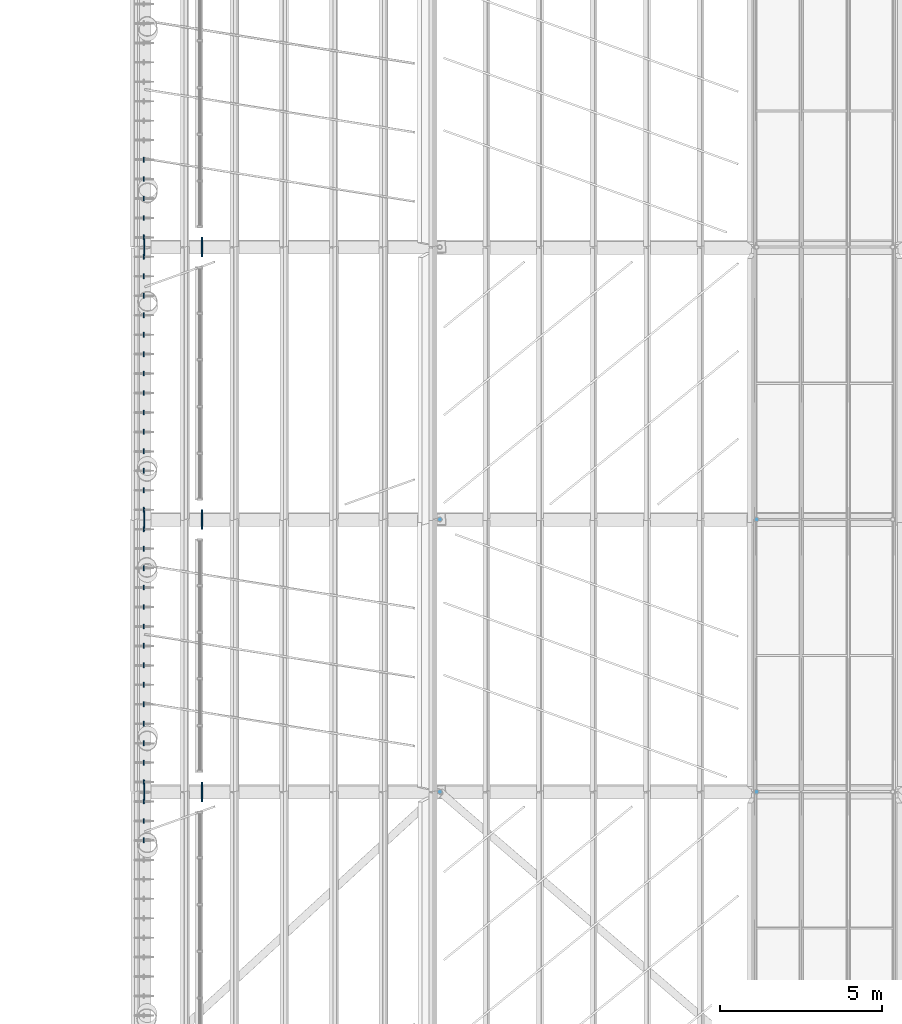
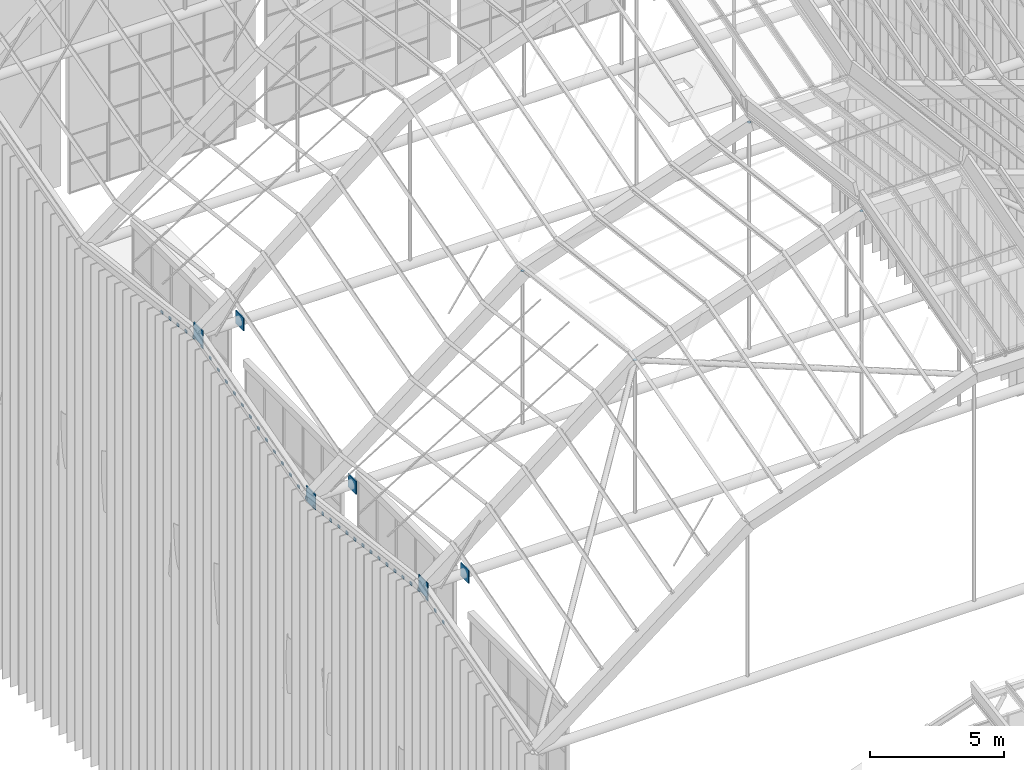
# One storey, part 89 of 126: 46 discrete accessories.
"""IFC4 building model written with IfcOpenShell, lengths in metres."""

from ifc_helpers import new_model, si_unit, direction, frame, origin, origin_2d, place, context, subcontext, project, spatial, rectangle, circle, extrude, material, layer, layer_set, material_profile, profile_set, type_object, element, save


model = new_model("IFC4")

# Units and contexts
model_context = context("Model", 3, precision=1e-05, world=origin(), true_north=direction((0.0, 1.0)))
body_context = subcontext(model_context, "Body", "Model", "MODEL_VIEW")
ifc_project = project(units=[si_unit("LENGTHUNIT", "METRE"), si_unit("AREAUNIT", "SQUARE_METRE"), si_unit("VOLUMEUNIT", "CUBIC_METRE"), si_unit("PLANEANGLEUNIT", "RADIAN"), si_unit("MASSUNIT", "GRAM", prefix="KILO")], contexts=[model_context])

# Site, building, storey
site_placement = place(None, origin())
site = spatial("IfcSite", under=ifc_project, at=site_placement, CompositionType="ELEMENT")
building_placement = place(site_placement, origin())
building = spatial("IfcBuilding", under=site, at=building_placement, Name="Sava Quay Ferry Terminal", CompositionType="ELEMENT")
storey_placement = place(building_placement, frame((0.0, 0.0, 15.0)))
storey = spatial("IfcBuildingStorey", under=building, at=storey_placement, Name="L03", CompositionType="ELEMENT", Elevation=15.0)

# Discrete accessories
ifc_material_1 = material(Name="Steel S355 galvanised", Category="steel")
ifc_layer_1 = layer(ifc_material_1, 0.0400390625)
ifc_layer_set_1 = layer_set([ifc_layer_1], Name="Steel S355 galvanised")
discrete_accessory_type_1 = type_object("IfcDiscreteAccessoryType", Name="Blade bracket flat 40x150", PredefinedType="BRACKET", material=ifc_layer_set_1)
for number, where, z_axis, x_axis, name in (
    (1, (42.0, 57.300048828125, 9.987548828125), (0.0, 0.0, 1.0), (1.0, 0.0, 0.0), "Blade bracket D-W 12"),
    (2, (42.0, 57.89990234375, 10.156005859375), (0.0, 0.0, 1.0), (1.0, 0.0, 0.0), "Blade bracket D-W 13"),
    (3, (42.0, 58.5, 10.32421875), (0.0, 0.0, 1.0), (1.0, 0.0, 0.0), "Blade bracket D-W 14"),
    (4, (42.0, 59.10009765625, 10.37109375), (0.0, 0.0, 1.0), (1.0, 0.0, 0.0), "Blade bracket D-W 15"),
    (5, (42.0, 59.699951171875, 10.296630859375), (0.0, 0.0, 1.0), (1.0, 0.0, 0.0), "Blade bracket D-W 16"),
    (6, (42.0, 60.300048828125, 10.22216796875), (0.0, 0.0, 1.0), (1.0, 0.0, 0.0), "Blade bracket D-W 17"),
    (7, (42.0, 60.89990234375, 10.147705078125), (0.0, 0.0, 1.0), (1.0, 0.0, 0.0), "Blade bracket D-W 18"),
    (8, (42.0, 61.5, 10.0732421875), (0.0, 0.0, 1.0), (1.0, 0.0, 0.0), "Blade bracket D-W 19"),
    (9, (42.0, 62.10009765625, 9.998779296875), (0.0, 0.0, 1.0), (1.0, 0.0, 0.0), "Blade bracket D-W 20"),
    (10, (42.0, 62.699951171875, 9.924072265625), (0.0, 0.0, 1.0), (1.0, 0.0, 0.0), "Blade bracket D-W 21"),
    (11, (42.0, 63.300048828125, 9.849609375), (0.0, 0.0, 1.0), (1.0, 0.0, 0.0), "Blade bracket D-W 22"),
    (12, (42.0, 63.89990234375, 9.775146484375), (0.0, 0.0, 1.0), (1.0, 0.0, 0.0), "Blade bracket D-W 23"),
    (13, (42.0, 64.5, 9.70068359375), (0.0, 0.0, 1.0), (1.0, 0.0, 0.0), "Blade bracket D-W 24"),
    (14, (42.0, 65.10009765625, 9.626220703125), (0.0, 0.0, 1.0), (1.0, 0.0, 0.0), "Blade bracket D-W 25"),
    (15, (42.0, 65.699951171875, 9.5517578125), (0.0, 0.0, 1.0), (1.0, 0.0, 0.0), "Blade bracket D-W 26"),
    (16, (42.0, 66.300048828125, 9.477294921875), (0.0, 0.0, 1.0), (1.0, 0.0, 0.0), "Blade bracket D-W 27"),
    (17, (42.0, 66.89990234375, 9.402587890625), (0.0, 0.0, 1.0), (1.0, 0.0, 0.0), "Blade bracket D-W 28"),
    (18, (42.0, 67.5, 9.44970703125), (0.0, 0.0, 1.0), (1.0, 0.0, 0.0), "Blade bracket D-W 29"),
    (19, (42.0, 68.10009765625, 9.617919921875), (0.0, 0.0, 1.0), (1.0, 0.0, 0.0), "Blade bracket D-W 30"),
    (20, (42.0, 68.699951171875, 9.786376953125), (0.0, 0.0, 1.0), (1.0, 0.0, 0.0), "Blade bracket D-W 31"),
    (21, (42.0, 69.300048828125, 9.95458984375), (0.0, 0.0, 1.0), (1.0, 0.0, 0.0), "Blade bracket D-W 32"),
    (22, (42.0, 69.89990234375, 10.123046875), (0.0, 0.0, 1.0), (1.0, 0.0, 0.0), "Blade bracket D-W 33"),
    (23, (42.0, 70.5, 10.29150390625), (0.0, 0.0, 1.0), (1.0, 0.0, 0.0), "Blade bracket D-W 34"),
    (24, (42.0, 71.10009765625, 10.459716796875), (0.0, 0.0, 1.0), (1.0, 0.0, 0.0), "Blade bracket D-W 35"),
    (25, (42.0, 71.699951171875, 10.628173828125), (0.0, 0.0, 1.0), (1.0, 0.0, 0.0), "Blade bracket D-W 36"),
    (26, (42.0, 72.300048828125, 10.79638671875), (0.0, 0.0, 1.0), (1.0, 0.0, 0.0), "Blade bracket D-W 37"),
    (27, (42.0, 72.89990234375, 10.96484375), (0.0, 0.0, 1.0), (1.0, 0.0, 0.0), "Blade bracket D-W 38"),
    (28, (42.0, 73.5, 11.13330078125), (0.0, 0.0, 1.0), (1.0, 0.0, 0.0), "Blade bracket D-W 39"),
    (29, (42.0, 74.10009765625, 11.301513671875), (0.0, 0.0, 1.0), (1.0, 0.0, 0.0), "Blade bracket D-W 40"),
    (30, (42.0, 74.699951171875, 11.469970703125), (0.0, 0.0, 1.0), (1.0, 0.0, 0.0), "Blade bracket D-W 41"),
    (31, (42.0, 75.300048828125, 11.63818359375), (0.0, 0.0, 1.0), (1.0, 0.0, 0.0), "Blade bracket D-W 42"),
    (32, (42.0, 75.89990234375, 11.685302734375), (0.0, 0.0, 1.0), (1.0, 0.0, 0.0), "Blade bracket D-W 43"),
    (33, (42.0, 76.5, 11.61083984375), (0.0, 0.0, 1.0), (1.0, 0.0, 0.0), "Blade bracket D-W 44"),
    (34, (42.0, 77.10009765625, 11.536376953125), (0.0, 0.0, 1.0), (1.0, 0.0, 0.0), "Blade bracket D-W 45"),
    (35, (42.0, 77.699951171875, 11.4619140625), (0.0, 0.0, 1.0), (1.0, 0.0, 0.0), "Blade bracket D-W 46"),
    (36, (42.0, 78.300048828125, 11.387451171875), (0.0, 0.0, 1.0), (1.0, 0.0, 0.0), "Blade bracket D-W 47"),
):
    element("IfcDiscreteAccessory", number, at=place(storey_placement, frame(where, z_axis=z_axis, x_axis=x_axis)), inside=storey, type_object=discrete_accessory_type_1, Name=name, PredefinedType="BRACKET", context=body_context, shape_type="SweptSolid", body=[
        extrude(rectangle(XDim=0.0400390625, YDim=0.14990234375, at=origin_2d()), origin(), (0.0, 0.0, 1.0), 0.1201171875),
    ])
ifc_material_2 = material(Name="Steel S355", Category="steel")
ifc_layer_2 = layer(ifc_material_2, 0.050048828125)
ifc_layer_set_2 = layer_set([ifc_layer_2], Name="Steel S355")
discrete_accessory_type_2 = type_object("IfcDiscreteAccessoryType", Name="Tie glazing collar 50", PredefinedType="ANCHORPLATE", material=ifc_layer_set_2)
for number, where, z_axis, x_axis, name in (
    (37, (43.800048828125, 58.800048828125, 10.45703125), (0.0, 0.0, 1.0), (1.0, 0.0, 0.0), "Departure hall arch tie R1 glazing collar 1"),
    (38, (43.800048828125, 67.199951171875, 9.4140625), (0.0, 0.0, 1.0), (1.0, 0.0, 0.0), "Departure hall arch tie R2 glazing collar 1"),
    (39, (43.800048828125, 75.60009765625, 11.77099609375), (0.0, 0.0, 1.0), (1.0, 0.0, 0.0), "Departure hall arch tie R3 glazing collar 1"),
):
    element("IfcDiscreteAccessory", number, at=place(storey_placement, frame(where, z_axis=z_axis, x_axis=x_axis)), inside=storey, type_object=discrete_accessory_type_2, Name=name, PredefinedType="ANCHORPLATE", context=body_context, shape_type="SweptSolid", body=[
        extrude(rectangle(XDim=0.050048828125, YDim=0.60009765625, at=origin_2d()), origin(), (0.0, 0.0, 1.0), 0.60009765625),
    ])
ifc_material_3 = material(Name="Steel S355", Category="steel")
ifc_layer_3 = layer(ifc_material_3, 0.0400390625)
ifc_layer_set_3 = layer_set([ifc_layer_3], Name="Steel S355")
discrete_accessory_type_3 = type_object("IfcDiscreteAccessoryType", Name="Tie node plate 40", PredefinedType="ANCHORPLATE", material=ifc_layer_set_3)
for number, where, z_axis, x_axis, name in (
    (40, (42.014892578125, 58.800048828125, 10.4072265625), (0.0, 0.0, 1.0), (1.0, 0.0, 0.0), "Departure hall arch tie R1 node plate 1"),
    (41, (42.014892578125, 67.199951171875, 9.3642578125), (0.0, 0.0, 1.0), (1.0, 0.0, 0.0), "Departure hall arch tie R2 node plate 1"),
    (42, (42.014892578125, 75.60009765625, 11.72119140625), (0.0, 0.0, 1.0), (1.0, 0.0, 0.0), "Departure hall arch tie R3 node plate 1"),
):
    element("IfcDiscreteAccessory", number, at=place(storey_placement, frame(where, z_axis=z_axis, x_axis=x_axis)), inside=storey, type_object=discrete_accessory_type_3, Name=name, PredefinedType="ANCHORPLATE", context=body_context, shape_type="SweptSolid", body=[
        extrude(rectangle(XDim=0.0400390625, YDim=0.699951171875, at=origin_2d()), origin(), (0.0, 0.0, 1.0), 0.699951171875),
    ])
ifc_material_4 = material(Name="Steel S355", Category="steel")
ifc_material_profile = material_profile(ifc_material_4, circle(Radius=0.06982421875, at=origin_2d()), Name="Plate 139.7 dia x 20")
ifc_profile_set = profile_set([ifc_material_profile], Name="Steel S355")
discrete_accessory_type_4 = type_object("IfcDiscreteAccessoryType", Name="Tube end plate 139.7", PredefinedType="ANCHORPLATE", material=ifc_profile_set)
for number, where, z_axis, x_axis, name in (
    (43, (51.1298828125, 58.800048828125, 17.89013671875), (0.0, 0.0, 1.0), (1.0, 0.0, 0.0), "End plate Departure hall tie hanger R1 V1"),
    (44, (60.89990234375, 58.800048828125, 21.254150390625), (0.0, 0.0, 1.0), (1.0, 0.0, 0.0), "End plate Departure hall tie hanger R1 V2"),
    (45, (51.1298828125, 67.199951171875, 16.84716796875), (0.0, 0.0, 1.0), (1.0, 0.0, 0.0), "End plate Departure hall tie hanger R2 V1"),
    (46, (60.89990234375, 67.199951171875, 20.211181640625), (0.0, 0.0, 1.0), (1.0, 0.0, 0.0), "End plate Departure hall tie hanger R2 V2"),
):
    element("IfcDiscreteAccessory", number, at=place(storey_placement, frame(where, z_axis=z_axis, x_axis=x_axis)), inside=storey, type_object=discrete_accessory_type_4, Name=name, PredefinedType="ANCHORPLATE", context=body_context, shape_type="SweptSolid", body=[
        extrude(circle(Radius=0.06982421875, at=origin_2d()), origin(), (0.0, 0.0, 1.0), 0.02001953125),
    ])

save(model, "model.ifc")
